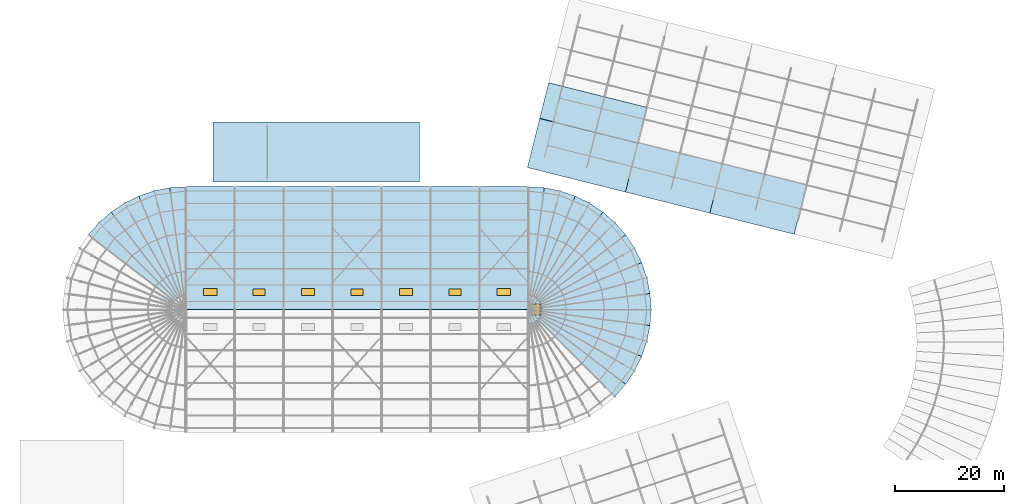
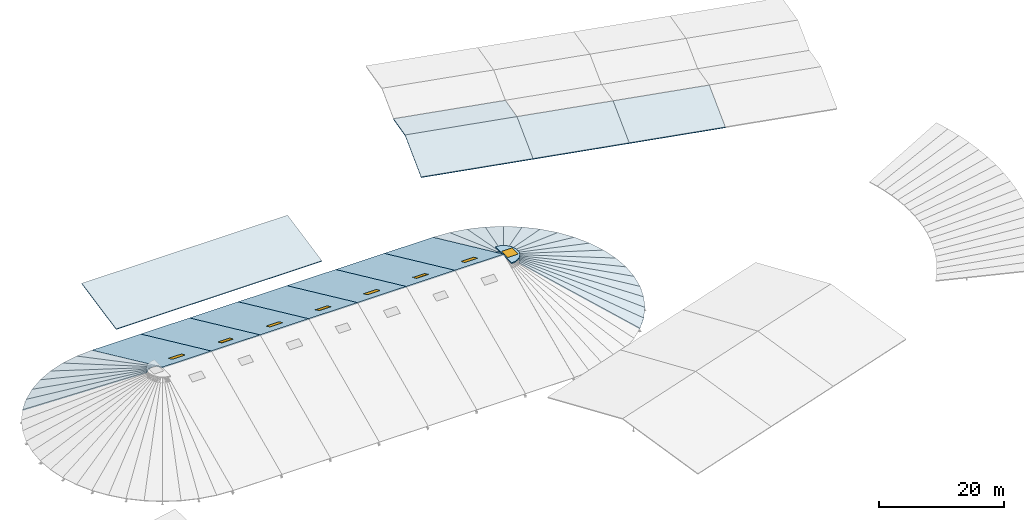
# One storey, part 83 of 107: 38 slabs, 8 windows, 8 openings.
"""IFC4 building model written with IfcOpenShell, lengths in metres."""

from ifc_helpers import new_model, si_unit, derived_unit, direction, frame, origin, origin_2d, place, context, subcontext, project, spatial, polyline, rectangle, outline, extrude, material, layer, layer_set, type_object, element, fill, save


model = new_model("IFC4")

# Units and contexts
model_context = context("Model", 3, precision=1e-05, world=origin(), true_north=direction((0.0, 1.0)))
body_context = subcontext(model_context, "Body", "Model", "MODEL_VIEW")
ifc_project = project(units=[si_unit("LENGTHUNIT", "METRE"), si_unit("AREAUNIT", "SQUARE_METRE"), si_unit("VOLUMEUNIT", "CUBIC_METRE"), si_unit("PLANEANGLEUNIT", "RADIAN"), si_unit("MASSUNIT", "GRAM", prefix="KILO"), si_unit("THERMODYNAMICTEMPERATUREUNIT", "KELVIN"), si_unit("TIMEUNIT", "SECOND"), derived_unit("THERMALTRANSMITTANCEUNIT", [(si_unit("MASSUNIT", "GRAM", prefix="KILO"), 1), (si_unit("THERMODYNAMICTEMPERATUREUNIT", "KELVIN"), -1), (si_unit("TIMEUNIT", "SECOND"), -3)])], contexts=[model_context])

# Site, building, storey
site_placement = place(None, origin())
site = spatial("IfcSite", under=ifc_project, at=site_placement, CompositionType="ELEMENT")
building_placement = place(site_placement, origin())
building = spatial("IfcBuilding", under=site, at=building_placement, Name="Cambertide Market Hall", CompositionType="ELEMENT")
storey_placement = place(building_placement, frame((0.0, 0.0, 18.300048828125)))
storey = spatial("IfcBuildingStorey", under=building, at=storey_placement, Name="RF", CompositionType="ELEMENT", Elevation=18.300048828125)

# Slabs
ifc_material_1 = material(Name="Concrete B30", Category="concrete")
ifc_layer_1 = layer(ifc_material_1, 0.169921875, Name="Conical Apse Roof Facet Deck 170")
ifc_layer_set_1 = layer_set([ifc_layer_1], Name="Concrete B30")
slab_type_1 = type_object("IfcSlabType", Name="Conical Apse Roof Facet Deck 170", PredefinedType="ROOF", material=ifc_layer_set_1)
slab_1_placement = place(storey_placement, frame((42.0, 94.60009765625, -10.208984375), z_axis=(-0.027409275858, 0.417743409083, 0.908151515863), x_axis=(-0.997857962081, -0.065417787225, -2.5012015e-05)))
element("IfcSlab", 1, at=slab_1_placement, inside=storey, type_object=slab_type_1, Name="RSLB-CONE-W-01", PredefinedType="ROOF", context=body_context, shape_type="SweptSolid", body=[
    extrude(outline(polyline([(0.0, 0.0), (2.9562814070581482, 0.0), (1.648223536475506, 21.97581772918988), (1.3081256351772481, 21.975620784879933), (0.0, 0.0)])), origin(), (0.0, 0.0, -1.0), 0.169921875),
])
slab_2_placement = place(storey_placement, frame((39.050048828125, 94.40673828125, -10.208984375), z_axis=(-0.081673211624, 0.410598583265, 0.908151028147), x_axis=(-0.980775932351, -0.195137310723, 2.2004101e-05)))
element("IfcSlab", 2, at=slab_2_placement, inside=storey, type_object=slab_type_1, Name="RSLB-CONE-W-02", PredefinedType="ROOF", context=body_context, shape_type="SweptSolid", body=[
    extrude(outline(polyline([(0.0, 0.0), (2.956251083457717, 0.0), (1.6491861932539995, 21.975577026993157), (1.309190554875619, 21.975750279612583), (0.0, 0.0)])), origin(), (0.0, 0.0, -1.0), 0.169921875),
])
slab_3_placement = place(storey_placement, frame((36.150634765625, 93.829833984375, -10.208984375), z_axis=(-0.134570980314, 0.396426263437, 0.908150245782), x_axis=(-0.946933608238, -0.321429216987, -7.488302e-06)))
element("IfcSlab", 3, at=slab_3_placement, inside=storey, type_object=slab_type_1, Name="RSLB-CONE-W-03", PredefinedType="ROOF", context=body_context, shape_type="SweptSolid", body=[
    extrude(outline(polyline([(0.0, 0.0), (2.9561873204523446, -1.1102230246251565e-16), (1.6476907526934368, 21.9756040666105), (1.3076014659560387, 21.975545106032726), (0.0, 0.0)])), origin(), (0.0, 0.0, -1.0), 0.169921875),
])
slab_4_placement = place(storey_placement, frame((33.351318359375, 92.879638671875, -10.208984375), z_axis=(-0.185136315846, 0.375481625338, 0.90815092005), x_axis=(-0.896892956019, -0.442247696838, 9.278662e-06)))
element("IfcSlab", 4, at=slab_4_placement, inside=storey, type_object=slab_type_1, Name="RSLB-CONE-W-04", PredefinedType="ROOF", context=body_context, shape_type="SweptSolid", body=[
    extrude(outline(polyline([(0.0, 0.0), (2.9561752731755653, 0.0), (1.6473073584844196, 21.97561486482148), (1.3070874424016115, 21.97568792501984), (0.0, 0.0)])), origin(), (0.0, 0.0, -1.0), 0.169921875),
])
slab_5_placement = place(storey_placement, frame((30.699951171875, 91.572265625, -10.208984375), z_axis=(-0.23260796997, 0.348074789506, 0.908150578493), x_axis=(-0.831438994246, -0.555616053433, -3.739204e-06)))
element("IfcSlab", 5, at=slab_5_placement, inside=storey, type_object=slab_type_1, Name="RSLB-CONE-W-05", PredefinedType="ROOF", context=body_context, shape_type="SweptSolid", body=[
    extrude(outline(polyline([(0.0, 0.0), (2.9563263187428053, 0.0), (1.649207027041759, 21.97562720757946), (1.3091549809737562, 21.97559776528562), (0.0, 0.0)])), origin(), (0.0, 0.0, -1.0), 0.169921875),
])
slab_6_placement = place(storey_placement, frame((28.241943359375, 89.9296875, -10.208984375), z_axis=(-0.276026197981, 0.314754205314, 0.908151599826), x_axis=(-0.751874569863, -0.659306173802, -1.9477017e-05)))
element("IfcSlab", 6, at=slab_6_placement, inside=storey, type_object=slab_type_1, Name="RSLB-CONE-W-06", PredefinedType="ROOF", context=body_context, shape_type="SweptSolid", body=[
    extrude(outline(polyline([(0.0, 0.0), (2.9561297044671377, 2.220446049250313e-16), (1.6468173433613174, 21.975805417620908), (1.306701364755123, 21.975652061968933), (0.0, 0.0)])), origin(), (0.0, 0.0, -1.0), 0.169921875),
])
for number, where, z_axis, x_axis, name in (
    (7, (26.019287109375, 87.980712890625, -10.208984375), (-0.314754205314, 0.276026197981, 0.908151599826), (-0.659306173802, -0.751874569863, 1.9477017e-05), "RSLB-CONE-W-07"),
    (8, (120.980712890625, 56.019287109375, -10.208984375), (0.314754205314, -0.276026197981, 0.908151599826), (0.659306173802, 0.751874569863, 1.9477017e-05), "RSLB-CONE-E-07"),
):
    element("IfcSlab", number, at=place(storey_placement, frame(where, z_axis=z_axis, x_axis=x_axis)), inside=storey, type_object=slab_type_1, Name=name, PredefinedType="ROOF", context=body_context, shape_type="SweptSolid", body=[
        extrude(outline(polyline([(0.0, 0.0), (2.9561297044671377, -2.220446049250313e-16), (1.6494283397120146, 21.975652061968933), (1.3093123611058186, 21.975805417620908), (0.0, 0.0)])), origin(), (0.0, 0.0, -1.0), 0.169921875),
    ])
slab_7_placement = place(storey_placement, frame((122.9296875, 58.241943359375, -10.208984375), z_axis=(0.348074789506, -0.23260796997, 0.908150578493), x_axis=(0.555616053433, 0.831438994246, 3.739204e-06)))
element("IfcSlab", 9, at=slab_7_placement, inside=storey, type_object=slab_type_1, Name="RSLB-CONE-E-08", PredefinedType="ROOF", context=body_context, shape_type="SweptSolid", body=[
    extrude(outline(polyline([(0.0, 0.0), (2.9563263187428053, 0.0), (1.6471713377690491, 21.97559776528562), (1.3071192917010481, 21.97562720757946), (0.0, 0.0)])), origin(), (0.0, 0.0, -1.0), 0.169921875),
])
slab_8_placement = place(storey_placement, frame((124.572265625, 60.699951171875, -10.208984375), z_axis=(0.375481625338, -0.185136315846, 0.90815092005), x_axis=(0.442247696838, 0.896892956019, -9.278662e-06)))
element("IfcSlab", 10, at=slab_8_placement, inside=storey, type_object=slab_type_1, Name="RSLB-CONE-E-09", PredefinedType="ROOF", context=body_context, shape_type="SweptSolid", body=[
    extrude(outline(polyline([(0.0, 0.0), (2.9561752731755653, 0.0), (1.6490878307739543, 21.97568792501984), (1.3088679146911453, 21.97561486482148), (0.0, 0.0)])), origin(), (0.0, 0.0, -1.0), 0.169921875),
])
slab_9_placement = place(storey_placement, frame((125.879638671875, 63.351318359375, -10.208984375), z_axis=(0.396426263437, -0.134570980314, 0.908150245782), x_axis=(0.321429216987, 0.946933608238, 7.488302e-06)))
element("IfcSlab", 11, at=slab_9_placement, inside=storey, type_object=slab_type_1, Name="RSLB-CONE-E-10", PredefinedType="ROOF", context=body_context, shape_type="SweptSolid", body=[
    extrude(outline(polyline([(0.0, 0.0), (2.9561873204523446, 1.1102230246251565e-16), (1.6485858544963068, 21.975545106032726), (1.3084965677589078, 21.9756040666105), (0.0, 0.0)])), origin(), (0.0, 0.0, -1.0), 0.169921875),
])
slab_10_placement = place(storey_placement, frame((126.829833984375, 66.150634765625, -10.208984375), z_axis=(0.410598583265, -0.081673211624, 0.908151028147), x_axis=(0.195137310723, 0.980775932351, -2.2004101e-05)))
element("IfcSlab", 12, at=slab_10_placement, inside=storey, type_object=slab_type_1, Name="RSLB-CONE-E-11", PredefinedType="ROOF", context=body_context, shape_type="SweptSolid", body=[
    extrude(outline(polyline([(0.0, 0.0), (2.956251083457717, 0.0), (1.6470605285820976, 21.975750279612583), (1.3070648902037176, 21.975577026993157), (0.0, 0.0)])), origin(), (0.0, 0.0, -1.0), 0.169921875),
])
slab_11_placement = place(storey_placement, frame((127.40673828125, 69.050048828125, -10.208984375), z_axis=(0.417743409083, -0.027409275858, 0.908151515863), x_axis=(0.065417787225, 0.997857962081, 2.5012015e-05)))
element("IfcSlab", 13, at=slab_11_placement, inside=storey, type_object=slab_type_1, Name="RSLB-CONE-E-12", PredefinedType="ROOF", context=body_context, shape_type="SweptSolid", body=[
    extrude(outline(polyline([(0.0, 0.0), (2.9562814070581482, 0.0), (1.6481557718809003, 21.975620784879933), (1.3080578705826424, 21.97581772918988), (0.0, 0.0)])), origin(), (0.0, 0.0, -1.0), 0.169921875),
])
slab_12_placement = place(storey_placement, frame((127.60009765625, 72.0, -10.208984375), z_axis=(0.417743409083, 0.027409275858, 0.908151515863), x_axis=(-0.065417787225, 0.997857962081, -2.5012015e-05)))
element("IfcSlab", 14, at=slab_12_placement, inside=storey, type_object=slab_type_1, Name="RSLB-CONE-E-13", PredefinedType="ROOF", context=body_context, shape_type="SweptSolid", body=[
    extrude(outline(polyline([(0.0, 0.0), (2.9562814070581482, 0.0), (1.648223536475506, 21.97581772918988), (1.3081256351772481, 21.975620784879933), (0.0, 0.0)])), origin(), (0.0, 0.0, -1.0), 0.169921875),
])
slab_13_placement = place(storey_placement, frame((127.40673828125, 74.949951171875, -10.208984375), z_axis=(0.410598583265, 0.081673211624, 0.908151028147), x_axis=(-0.195137310723, 0.980775932351, 2.2004101e-05)))
element("IfcSlab", 15, at=slab_13_placement, inside=storey, type_object=slab_type_1, Name="RSLB-CONE-E-14", PredefinedType="ROOF", context=body_context, shape_type="SweptSolid", body=[
    extrude(outline(polyline([(0.0, 0.0), (2.956251083457717, 0.0), (1.6491861932539995, 21.975577026993157), (1.309190554875619, 21.975750279612583), (0.0, 0.0)])), origin(), (0.0, 0.0, -1.0), 0.169921875),
])
slab_14_placement = place(storey_placement, frame((126.829833984375, 77.849365234375, -10.208984375), z_axis=(0.396426263437, 0.134570980314, 0.908150245782), x_axis=(-0.321429216987, 0.946933608238, -7.488302e-06)))
element("IfcSlab", 16, at=slab_14_placement, inside=storey, type_object=slab_type_1, Name="RSLB-CONE-E-15", PredefinedType="ROOF", context=body_context, shape_type="SweptSolid", body=[
    extrude(outline(polyline([(0.0, 0.0), (2.9561873204523446, -1.1102230246251565e-16), (1.6476907526934368, 21.9756040666105), (1.3076014659560387, 21.975545106032726), (0.0, 0.0)])), origin(), (0.0, 0.0, -1.0), 0.169921875),
])
slab_15_placement = place(storey_placement, frame((125.879638671875, 80.648681640625, -10.208984375), z_axis=(0.375481625338, 0.185136315846, 0.90815092005), x_axis=(-0.442247696838, 0.896892956019, 9.278662e-06)))
element("IfcSlab", 17, at=slab_15_placement, inside=storey, type_object=slab_type_1, Name="RSLB-CONE-E-16", PredefinedType="ROOF", context=body_context, shape_type="SweptSolid", body=[
    extrude(outline(polyline([(0.0, 0.0), (2.9561752731755653, 0.0), (1.6473073584844196, 21.97561486482148), (1.3070874424016115, 21.97568792501984), (0.0, 0.0)])), origin(), (0.0, 0.0, -1.0), 0.169921875),
])
slab_16_placement = place(storey_placement, frame((124.572265625, 83.300048828125, -10.208984375), z_axis=(0.348074789506, 0.23260796997, 0.908150578493), x_axis=(-0.555616053433, 0.831438994246, -3.739204e-06)))
element("IfcSlab", 18, at=slab_16_placement, inside=storey, type_object=slab_type_1, Name="RSLB-CONE-E-17", PredefinedType="ROOF", context=body_context, shape_type="SweptSolid", body=[
    extrude(outline(polyline([(0.0, 0.0), (2.9563263187428053, 0.0), (1.649207027041759, 21.97562720757946), (1.3091549809737562, 21.97559776528562), (0.0, 0.0)])), origin(), (0.0, 0.0, -1.0), 0.169921875),
])
slab_17_placement = place(storey_placement, frame((122.9296875, 85.758056640625, -10.208984375), z_axis=(0.314754205314, 0.276026197981, 0.908151599826), x_axis=(-0.659306173802, 0.751874569863, -1.9477017e-05)))
element("IfcSlab", 19, at=slab_17_placement, inside=storey, type_object=slab_type_1, Name="RSLB-CONE-E-18", PredefinedType="ROOF", context=body_context, shape_type="SweptSolid", body=[
    extrude(outline(polyline([(0.0, 0.0), (2.9561297044671377, 2.220446049250313e-16), (1.6468173433613174, 21.975805417620908), (1.306701364755123, 21.975652061968933), (0.0, 0.0)])), origin(), (0.0, 0.0, -1.0), 0.169921875),
])
slab_18_placement = place(storey_placement, frame((120.980712890625, 87.980712890625, -10.208984375), z_axis=(0.276026197981, 0.314754205314, 0.908151599826), x_axis=(-0.751874569863, 0.659306173802, 1.9477017e-05)))
element("IfcSlab", 20, at=slab_18_placement, inside=storey, type_object=slab_type_1, Name="RSLB-CONE-E-19", PredefinedType="ROOF", context=body_context, shape_type="SweptSolid", body=[
    extrude(outline(polyline([(0.0, 0.0), (2.9561297044671377, -2.220446049250313e-16), (1.6494283397120146, 21.975652061968933), (1.3093123611058186, 21.975805417620908), (0.0, 0.0)])), origin(), (0.0, 0.0, -1.0), 0.169921875),
])
slab_19_placement = place(storey_placement, frame((118.758056640625, 89.9296875, -10.208984375), z_axis=(0.23260796997, 0.348074789506, 0.908150578493), x_axis=(-0.831438994246, 0.555616053433, 3.739204e-06)))
element("IfcSlab", 21, at=slab_19_placement, inside=storey, type_object=slab_type_1, Name="RSLB-CONE-E-20", PredefinedType="ROOF", context=body_context, shape_type="SweptSolid", body=[
    extrude(outline(polyline([(0.0, 0.0), (2.9563263187428053, 0.0), (1.6471713377690491, 21.97559776528562), (1.3071192917010481, 21.97562720757946), (0.0, 0.0)])), origin(), (0.0, 0.0, -1.0), 0.169921875),
])
slab_20_placement = place(storey_placement, frame((116.300048828125, 91.572265625, -10.208984375), z_axis=(0.185136315846, 0.375481625338, 0.90815092005), x_axis=(-0.896892956019, 0.442247696838, -9.278662e-06)))
element("IfcSlab", 22, at=slab_20_placement, inside=storey, type_object=slab_type_1, Name="RSLB-CONE-E-21", PredefinedType="ROOF", context=body_context, shape_type="SweptSolid", body=[
    extrude(outline(polyline([(0.0, 0.0), (2.9561752731755653, 0.0), (1.6490878307739543, 21.97568792501984), (1.3088679146911453, 21.97561486482148), (0.0, 0.0)])), origin(), (0.0, 0.0, -1.0), 0.169921875),
])
slab_21_placement = place(storey_placement, frame((113.648681640625, 92.879638671875, -10.208984375), z_axis=(0.134570980314, 0.396426263437, 0.908150245782), x_axis=(-0.946933608238, 0.321429216987, 7.488302e-06)))
element("IfcSlab", 23, at=slab_21_placement, inside=storey, type_object=slab_type_1, Name="RSLB-CONE-E-22", PredefinedType="ROOF", context=body_context, shape_type="SweptSolid", body=[
    extrude(outline(polyline([(0.0, 0.0), (2.9561873204523446, 1.1102230246251565e-16), (1.6485858544963068, 21.975545106032726), (1.3084965677589078, 21.9756040666105), (0.0, 0.0)])), origin(), (0.0, 0.0, -1.0), 0.169921875),
])
slab_22_placement = place(storey_placement, frame((110.849365234375, 93.829833984375, -10.208984375), z_axis=(0.081673211624, 0.410598583265, 0.908151028147), x_axis=(-0.980775932351, 0.195137310723, -2.2004101e-05)))
element("IfcSlab", 24, at=slab_22_placement, inside=storey, type_object=slab_type_1, Name="RSLB-CONE-E-23", PredefinedType="ROOF", context=body_context, shape_type="SweptSolid", body=[
    extrude(outline(polyline([(0.0, 0.0), (2.956251083457717, 0.0), (1.6470605285820976, 21.975750279612583), (1.3070648902037176, 21.975577026993157), (0.0, 0.0)])), origin(), (0.0, 0.0, -1.0), 0.169921875),
])
slab_23_placement = place(storey_placement, frame((107.949951171875, 94.40673828125, -10.208984375), z_axis=(0.027409275858, 0.417743409083, 0.908151515863), x_axis=(-0.997857962081, 0.065417787225, 2.5012015e-05)))
element("IfcSlab", 25, at=slab_23_placement, inside=storey, type_object=slab_type_1, Name="RSLB-CONE-E-24", PredefinedType="ROOF", context=body_context, shape_type="SweptSolid", body=[
    extrude(outline(polyline([(0.0, 0.0), (2.9562814070581482, 0.0), (1.6481557718809003, 21.975620784879933), (1.3080578705826424, 21.97581772918988), (0.0, 0.0)])), origin(), (0.0, 0.0, -1.0), 0.169921875),
])

# Slab, opening, window
ifc_material_2 = material(Name="Concrete B30", Category="concrete")
ifc_layer_2 = layer(ifc_material_2, 0.2099609375, Name="Conical Crown Oculus Roof Deck 210")
ifc_layer_set_2 = layer_set([ifc_layer_2], Name="Concrete B30")
slab_type_2 = type_object("IfcSlabType", Name="Conical Crown Oculus Roof Deck 210", PredefinedType="ROOF", material=ifc_layer_set_2)
slab_24_placement = place(storey_placement, frame((0.0, 0.0, -0.130126953125)))
slab_24 = element("IfcSlab", 26, at=slab_24_placement, inside=storey, type_object=slab_type_2, Name="Roof Slab RSLB-OCULUS-E", PredefinedType="ROOF", context=body_context, shape_type="SweptSolid", body=[
    extrude(outline(polyline([(105.0, 69.39990234375), (105.6728515625, 69.488525390625), (106.300048828125, 69.748291015625), (106.83837890625, 70.16162109375), (107.251708984375, 70.699951171875), (107.511474609375, 71.3271484375), (107.60009765625, 72.0), (107.511474609375, 72.6728515625), (107.251708984375, 73.300048828125), (106.83837890625, 73.83837890625), (106.300048828125, 74.251708984375), (105.6728515625, 74.511474609375), (105.0, 74.60009765625), (105.0, 69.39990234375)])), origin(), (0.0, 0.0, 1.0), 0.2099609375),
])
opening_1_placement = place(slab_24_placement, frame((106.14990234375, 72.0, -0.010009765625)))
opening_1 = element("IfcOpeningElement", 27, at=opening_1_placement, cuts=slab_24, Name="Opening SK-03", PredefinedType="OPENING", context=body_context, shape_type="SweptSolid", body=[
    extrude(rectangle(XDim=1.949951171875, YDim=1.949951171875, at=origin_2d()), origin(), (0.0, 0.0, 1.0), 0.22998046875),
])
ifc_material_3 = material(Name="Low-E Laminated Insulated Glass", Category="glass")
window_type_1 = type_object("IfcWindowType", Name="Conical East Oculus Skylight 1950x1950", PartitioningType="SINGLE_PANEL", PredefinedType="SKYLIGHT", material=ifc_material_3)
window_1_placement = place(slab_24_placement, frame((106.14990234375, 72.0, 0.159912109375)))
window_1 = element("IfcWindow", 28, at=window_1_placement, inside=storey, type_object=window_type_1, Name="SKY-OCULUS-E", OverallHeight=1.949951171875, OverallWidth=1.949951171875, PartitioningType="SINGLE_PANEL", PredefinedType="SKYLIGHT", context=body_context, shape_type="SweptSolid", body=[
    extrude(rectangle(XDim=1.949951171875, YDim=1.949951171875, at=origin_2d()), origin(), (0.0, 0.0, 1.0), 0.050048828125),
])
fill(opening_1, window_1)

# Slabs
ifc_material_4 = material(Name="Concrete B30", Category="concrete")
ifc_layer_3 = layer(ifc_material_4, 0.18994140625, Name="Cooking School Folded Roof Deck 190")
ifc_layer_set_3 = layer_set([ifc_layer_3], Name="Concrete B30")
slab_type_3 = type_object("IfcSlabType", Name="Cooking School Folded Roof Deck 190", PredefinedType="ROOF", material=ifc_layer_set_3)
slab_25_placement = place(storey_placement, frame((104.846923828125, 98.108154296875, -0.509033203125), z_axis=(-0.048353574491, -0.193422148844, 0.979923366478), x_axis=(0.970144816428, -0.242526359718, 0.0)))
element("IfcSlab", 29, at=slab_25_placement, inside=storey, type_object=slab_type_3, Name="RSLB-V4-F1-1", PredefinedType="ROOF", context=body_context, shape_type="SweptSolid", body=[
    extrude(outline(polyline([(0.0, 0.0), (18.59998366101378, 0.0), (18.600191383383294, 9.54155942923407), (0.00020772236951403883, 9.54155942923407), (0.0, 0.0)])), origin(), (0.0, 0.0, -1.0), 0.18994140625),
])
slab_26_placement = place(storey_placement, frame((107.11474609375, 107.178955078125, 1.393310546875), z_axis=(0.04835265194, 0.193413224601, 0.97992517347), x_axis=(0.970144755052, -0.242526605229, -1.243875e-06)))
element("IfcSlab", 30, at=slab_26_placement, inside=storey, type_object=slab_type_3, Name="RSLB-V4-F2-1", PredefinedType="ROOF", context=body_context, shape_type="SweptSolid", body=[
    extrude(outline(polyline([(0.0, 0.0), (18.599983660998795, -8.881784197001252e-16), (18.60016655131236, 6.888187697210948), (0.00012367971658489382, 6.888419794214739), (0.0, 0.0)])), origin(), (0.0, 0.0, -1.0), 0.18994140625),
])
slab_27_placement = place(storey_placement, frame((122.8916015625, 93.59716796875, -0.509033203125), z_axis=(-0.048355926688, -0.193422185647, 0.979923243144), x_axis=(0.970142482306, -0.242535696394, 3.61515e-07)))
element("IfcSlab", 31, at=slab_27_placement, inside=storey, type_object=slab_type_3, Name="RSLB-V4-F1-2", PredefinedType="ROOF", context=body_context, shape_type="SweptSolid", body=[
    extrude(outline(polyline([(0.0, 0.0), (16.000186503708072, 0.0), (16.000068078112086, 9.541501406760297), (0.00011842559598476358, 9.541559430758408), (0.0, 0.0)])), origin(), (0.0, 0.0, -1.0), 0.18994140625),
])
slab_28_placement = place(storey_placement, frame((138.4140625, 89.716552734375, -0.509033203125), z_axis=(-0.048356431635, -0.193422684299, 0.9799231198), x_axis=(0.97014160256, -0.242539215349, 0.0)))
element("IfcSlab", 32, at=slab_28_placement, inside=storey, type_object=slab_type_3, Name="RSLB-V4-F1-3", PredefinedType="ROOF", context=body_context, shape_type="SweptSolid", body=[
    extrude(outline(polyline([(0.0, 0.0), (15.999949652622403, 0.0), (15.999796624665986, 9.541501406269909), (-0.00015302795641503053, 9.541501406269909), (0.0, 0.0)])), origin(), (0.0, 0.0, -1.0), 0.18994140625),
])

# Slab, opening, window
ifc_material_5 = material(Name="Concrete B30", Category="concrete")
ifc_layer_4 = layer(ifc_material_5, 0.179931640625, Name="Lantern Barrel Roof Deck 180")
ifc_layer_set_4 = layer_set([ifc_layer_4], Name="Concrete B30")
slab_type_4 = type_object("IfcSlabType", Name="Lantern Barrel Roof Deck 180", PredefinedType="ROOF", material=ifc_layer_set_4)
slab_29_placement = place(storey_placement, frame((51.0, 94.60009765625, -10.197998046875), z_axis=(0.0, 0.417903988208, 0.908491197888), x_axis=(-1.0, 0.0, 0.0)))
slab_29 = element("IfcSlab", 33, at=slab_29_placement, inside=storey, type_object=slab_type_4, Name="RSLB-V1N-1", PredefinedType="ROOF", context=body_context, shape_type="SweptSolid", body=[
    extrude(outline(polyline([(0.0, 0.0), (9.0, 0.0), (9.0, 24.876518021083697), (0.0, 24.876518021083697), (0.0, 0.0)])), origin(), (0.0, 0.0, -1.0), 0.179931640625),
])
opening_2_placement = place(slab_29_placement, frame((4.5, 21.354248046875, 0.010009765625), z_axis=(0.0, 0.0, 1.0), x_axis=(1.0, 0.0, 0.0)))
opening_2 = element("IfcOpeningElement", 34, at=opening_2_placement, cuts=slab_29, Name="Opening SK-01", PredefinedType="OPENING", context=body_context, shape_type="SweptSolid", body=[
    extrude(rectangle(XDim=2.39990234375, YDim=1.39990234375, at=origin_2d()), origin(), (0.0, 0.0, -1.0), 0.199951171875),
])
ifc_material_6 = material(Name="Low-E Laminated Insulated Glass", Category="glass")
window_type_2 = type_object("IfcWindowType", Name="Barrel Ridge Daylight Skylight 2400x1400", PartitioningType="SINGLE_PANEL", PredefinedType="SKYLIGHT", material=ifc_material_6)
window_2_placement = place(slab_29_placement, frame((4.5, 21.354248046875, 0.0), z_axis=(0.0, 0.0, 1.0), x_axis=(1.0, 0.0, 0.0)))
window_2 = element("IfcWindow", 35, at=window_2_placement, inside=storey, type_object=window_type_2, Name="SKY-V1N-1", OverallHeight=1.39990234375, OverallWidth=2.39990234375, PartitioningType="SINGLE_PANEL", PredefinedType="SKYLIGHT", context=body_context, shape_type="SweptSolid", body=[
    extrude(rectangle(XDim=2.39990234375, YDim=1.39990234375, at=origin_2d()), origin(), (0.0, 0.0, -1.0), 0.050048828125),
])
fill(opening_2, window_2)

slab_30_placement = place(storey_placement, frame((60.0, 94.60009765625, -10.197998046875), z_axis=(0.0, 0.417903988208, 0.908491197888), x_axis=(-1.0, 0.0, 0.0)))
slab_30 = element("IfcSlab", 36, at=slab_30_placement, inside=storey, type_object=slab_type_4, Name="RSLB-V1N-2", PredefinedType="ROOF", context=body_context, shape_type="SweptSolid", body=[
    extrude(outline(polyline([(0.0, 0.0), (9.0, 0.0), (9.0, 24.876518021083697), (0.0, 24.876518021083697), (0.0, 0.0)])), origin(), (0.0, 0.0, -1.0), 0.179931640625),
])
opening_3_placement = place(slab_30_placement, frame((4.5, 21.354248046875, 0.010009765625), z_axis=(0.0, 0.0, 1.0), x_axis=(1.0, 0.0, 0.0)))
opening_3 = element("IfcOpeningElement", 37, at=opening_3_placement, cuts=slab_30, Name="Opening SK-01B", PredefinedType="OPENING", context=body_context, shape_type="SweptSolid", body=[
    extrude(rectangle(XDim=2.199951171875, YDim=1.35009765625, at=origin_2d()), origin(), (0.0, 0.0, -1.0), 0.199951171875),
])
ifc_material_7 = material(Name="Low-E Laminated Insulated Glass", Category="glass")
window_type_3 = type_object("IfcWindowType", Name="Barrel Mid-Bay Skylight 2200x1350", PartitioningType="SINGLE_PANEL", PredefinedType="SKYLIGHT", material=ifc_material_7)
window_3_placement = place(slab_30_placement, frame((4.5, 21.354248046875, 0.0), z_axis=(0.0, 0.0, 1.0), x_axis=(1.0, 0.0, 0.0)))
window_3 = element("IfcWindow", 38, at=window_3_placement, inside=storey, type_object=window_type_3, Name="SKY-V1N-2", OverallHeight=1.35009765625, OverallWidth=2.199951171875, PartitioningType="SINGLE_PANEL", PredefinedType="SKYLIGHT", context=body_context, shape_type="SweptSolid", body=[
    extrude(rectangle(XDim=2.199951171875, YDim=1.35009765625, at=origin_2d()), origin(), (0.0, 0.0, -1.0), 0.050048828125),
])
fill(opening_3, window_3)

slab_31_placement = place(storey_placement, frame((69.0, 94.60009765625, -10.197998046875), z_axis=(0.0, 0.417903988208, 0.908491197888), x_axis=(-1.0, 0.0, 0.0)))
slab_31 = element("IfcSlab", 39, at=slab_31_placement, inside=storey, type_object=slab_type_4, Name="RSLB-V1N-3", PredefinedType="ROOF", context=body_context, shape_type="SweptSolid", body=[
    extrude(outline(polyline([(0.0, 0.0), (9.0, 0.0), (9.0, 24.876518021083697), (0.0, 24.876518021083697), (0.0, 0.0)])), origin(), (0.0, 0.0, -1.0), 0.179931640625),
])
opening_4_placement = place(slab_31_placement, frame((4.5, 21.354248046875, 0.010009765625), z_axis=(0.0, 0.0, 1.0), x_axis=(1.0, 0.0, 0.0)))
opening_4 = element("IfcOpeningElement", 40, at=opening_4_placement, cuts=slab_31, Name="Opening SK-01", PredefinedType="OPENING", context=body_context, shape_type="SweptSolid", body=[
    extrude(rectangle(XDim=2.39990234375, YDim=1.39990234375, at=origin_2d()), origin(), (0.0, 0.0, -1.0), 0.199951171875),
])
window_4_placement = place(slab_31_placement, frame((4.5, 21.354248046875, 0.0), z_axis=(0.0, 0.0, 1.0), x_axis=(1.0, 0.0, 0.0)))
window_4 = element("IfcWindow", 41, at=window_4_placement, inside=storey, type_object=window_type_2, Name="SKY-V1N-3", OverallHeight=1.39990234375, OverallWidth=2.39990234375, PartitioningType="SINGLE_PANEL", PredefinedType="SKYLIGHT", context=body_context, shape_type="SweptSolid", body=[
    extrude(rectangle(XDim=2.39990234375, YDim=1.39990234375, at=origin_2d()), origin(), (0.0, 0.0, -1.0), 0.050048828125),
])
fill(opening_4, window_4)

slab_32_placement = place(storey_placement, frame((78.0, 94.60009765625, -10.197998046875), z_axis=(0.0, 0.417903988208, 0.908491197888), x_axis=(-1.0, 0.0, 0.0)))
slab_32 = element("IfcSlab", 42, at=slab_32_placement, inside=storey, type_object=slab_type_4, Name="RSLB-V1N-4", PredefinedType="ROOF", context=body_context, shape_type="SweptSolid", body=[
    extrude(outline(polyline([(0.0, 0.0), (9.0, 0.0), (9.0, 24.876518021083697), (0.0, 24.876518021083697), (0.0, 0.0)])), origin(), (0.0, 0.0, -1.0), 0.179931640625),
])
opening_5_placement = place(slab_32_placement, frame((4.5, 21.354248046875, 0.010009765625), z_axis=(0.0, 0.0, 1.0), x_axis=(1.0, 0.0, 0.0)))
opening_5 = element("IfcOpeningElement", 43, at=opening_5_placement, cuts=slab_32, Name="Opening SK-01B", PredefinedType="OPENING", context=body_context, shape_type="SweptSolid", body=[
    extrude(rectangle(XDim=2.199951171875, YDim=1.35009765625, at=origin_2d()), origin(), (0.0, 0.0, -1.0), 0.199951171875),
])
window_5_placement = place(slab_32_placement, frame((4.5, 21.354248046875, 0.0), z_axis=(0.0, 0.0, 1.0), x_axis=(1.0, 0.0, 0.0)))
window_5 = element("IfcWindow", 44, at=window_5_placement, inside=storey, type_object=window_type_3, Name="SKY-V1N-4", OverallHeight=1.35009765625, OverallWidth=2.199951171875, PartitioningType="SINGLE_PANEL", PredefinedType="SKYLIGHT", context=body_context, shape_type="SweptSolid", body=[
    extrude(rectangle(XDim=2.199951171875, YDim=1.35009765625, at=origin_2d()), origin(), (0.0, 0.0, -1.0), 0.050048828125),
])
fill(opening_5, window_5)

slab_33_placement = place(storey_placement, frame((87.0, 94.60009765625, -10.197998046875), z_axis=(0.0, 0.417903988208, 0.908491197888), x_axis=(-1.0, 0.0, 0.0)))
slab_33 = element("IfcSlab", 45, at=slab_33_placement, inside=storey, type_object=slab_type_4, Name="RSLB-V1N-5", PredefinedType="ROOF", context=body_context, shape_type="SweptSolid", body=[
    extrude(outline(polyline([(0.0, 0.0), (9.0, 0.0), (9.0, 24.876518021083697), (0.0, 24.876518021083697), (0.0, 0.0)])), origin(), (0.0, 0.0, -1.0), 0.179931640625),
])
opening_6_placement = place(slab_33_placement, frame((4.5, 21.354248046875, 0.010009765625), z_axis=(0.0, 0.0, 1.0), x_axis=(1.0, 0.0, 0.0)))
opening_6 = element("IfcOpeningElement", 46, at=opening_6_placement, cuts=slab_33, Name="Opening SK-01", PredefinedType="OPENING", context=body_context, shape_type="SweptSolid", body=[
    extrude(rectangle(XDim=2.39990234375, YDim=1.39990234375, at=origin_2d()), origin(), (0.0, 0.0, -1.0), 0.199951171875),
])
window_6_placement = place(slab_33_placement, frame((4.5, 21.354248046875, 0.0), z_axis=(0.0, 0.0, 1.0), x_axis=(1.0, 0.0, 0.0)))
window_6 = element("IfcWindow", 47, at=window_6_placement, inside=storey, type_object=window_type_2, Name="SKY-V1N-5", OverallHeight=1.39990234375, OverallWidth=2.39990234375, PartitioningType="SINGLE_PANEL", PredefinedType="SKYLIGHT", context=body_context, shape_type="SweptSolid", body=[
    extrude(rectangle(XDim=2.39990234375, YDim=1.39990234375, at=origin_2d()), origin(), (0.0, 0.0, -1.0), 0.050048828125),
])
fill(opening_6, window_6)

slab_34_placement = place(storey_placement, frame((96.0, 94.60009765625, -10.197998046875), z_axis=(0.0, 0.417903988208, 0.908491197888), x_axis=(-1.0, 0.0, 0.0)))
slab_34 = element("IfcSlab", 48, at=slab_34_placement, inside=storey, type_object=slab_type_4, Name="RSLB-V1N-6", PredefinedType="ROOF", context=body_context, shape_type="SweptSolid", body=[
    extrude(outline(polyline([(0.0, 0.0), (9.0, 0.0), (9.0, 24.876518021083697), (0.0, 24.876518021083697), (0.0, 0.0)])), origin(), (0.0, 0.0, -1.0), 0.179931640625),
])
opening_7_placement = place(slab_34_placement, frame((4.5, 21.354248046875, 0.010009765625), z_axis=(0.0, 0.0, 1.0), x_axis=(1.0, 0.0, 0.0)))
opening_7 = element("IfcOpeningElement", 49, at=opening_7_placement, cuts=slab_34, Name="Opening SK-01B", PredefinedType="OPENING", context=body_context, shape_type="SweptSolid", body=[
    extrude(rectangle(XDim=2.199951171875, YDim=1.35009765625, at=origin_2d()), origin(), (0.0, 0.0, -1.0), 0.199951171875),
])
window_7_placement = place(slab_34_placement, frame((4.5, 21.354248046875, 0.0), z_axis=(0.0, 0.0, 1.0), x_axis=(1.0, 0.0, 0.0)))
window_7 = element("IfcWindow", 50, at=window_7_placement, inside=storey, type_object=window_type_3, Name="SKY-V1N-6", OverallHeight=1.35009765625, OverallWidth=2.199951171875, PartitioningType="SINGLE_PANEL", PredefinedType="SKYLIGHT", context=body_context, shape_type="SweptSolid", body=[
    extrude(rectangle(XDim=2.199951171875, YDim=1.35009765625, at=origin_2d()), origin(), (0.0, 0.0, -1.0), 0.050048828125),
])
fill(opening_7, window_7)

slab_35_placement = place(storey_placement, frame((105.0, 94.60009765625, -10.197998046875), z_axis=(0.0, 0.417903988208, 0.908491197888), x_axis=(-1.0, 0.0, 0.0)))
slab_35 = element("IfcSlab", 51, at=slab_35_placement, inside=storey, type_object=slab_type_4, Name="RSLB-V1N-7", PredefinedType="ROOF", context=body_context, shape_type="SweptSolid", body=[
    extrude(outline(polyline([(0.0, 0.0), (9.0, 0.0), (9.0, 24.876518021083697), (0.0, 24.876518021083697), (0.0, 0.0)])), origin(), (0.0, 0.0, -1.0), 0.179931640625),
])
opening_8_placement = place(slab_35_placement, frame((4.5, 21.354248046875, 0.010009765625), z_axis=(0.0, 0.0, 1.0), x_axis=(1.0, 0.0, 0.0)))
opening_8 = element("IfcOpeningElement", 52, at=opening_8_placement, cuts=slab_35, Name="Opening SK-01", PredefinedType="OPENING", context=body_context, shape_type="SweptSolid", body=[
    extrude(rectangle(XDim=2.39990234375, YDim=1.39990234375, at=origin_2d()), origin(), (0.0, 0.0, -1.0), 0.199951171875),
])
window_8_placement = place(slab_35_placement, frame((4.5, 21.354248046875, 0.0), z_axis=(0.0, 0.0, 1.0), x_axis=(1.0, 0.0, 0.0)))
window_8 = element("IfcWindow", 53, at=window_8_placement, inside=storey, type_object=window_type_2, Name="SKY-V1N-7", OverallHeight=1.39990234375, OverallWidth=2.39990234375, PartitioningType="SINGLE_PANEL", PredefinedType="SKYLIGHT", context=body_context, shape_type="SweptSolid", body=[
    extrude(rectangle(XDim=2.39990234375, YDim=1.39990234375, at=origin_2d()), origin(), (0.0, 0.0, -1.0), 0.050048828125),
])
fill(opening_8, window_8)

# Slab
ifc_material_8 = material(Name="Concrete B30", Category="concrete")
ifc_layer_5 = layer(ifc_material_8, 0.155029296875, Name="Promenade Curved Canopy Roof Deck 155")
ifc_layer_set_5 = layer_set([ifc_layer_5], Name="Concrete B30")
slab_type_5 = type_object("IfcSlabType", Name="Promenade Curved Canopy Roof Deck 155", PredefinedType="ROOF", material=ifc_layer_set_5)
slab_36_placement = place(storey_placement, frame((47.0, 95.5, -8.35009765625), z_axis=(0.0, -0.199373222322, 0.97992362877), x_axis=(1.0, 0.0, 0.0)))
element("IfcSlab", 54, at=slab_36_placement, inside=storey, type_object=slab_type_5, Name="RSLB-V2PAV", PredefinedType="ROOF", context=body_context, shape_type="SweptSolid", body=[
    extrude(outline(polyline([(0.0, 0.0), (38.0, 0.0), (38.0, 11.225364586637692), (0.0, 11.225364586637692), (0.0, 0.0)])), origin(), (0.0, 0.0, -1.0), 0.155029296875),
])

save(model, "model.ifc")
